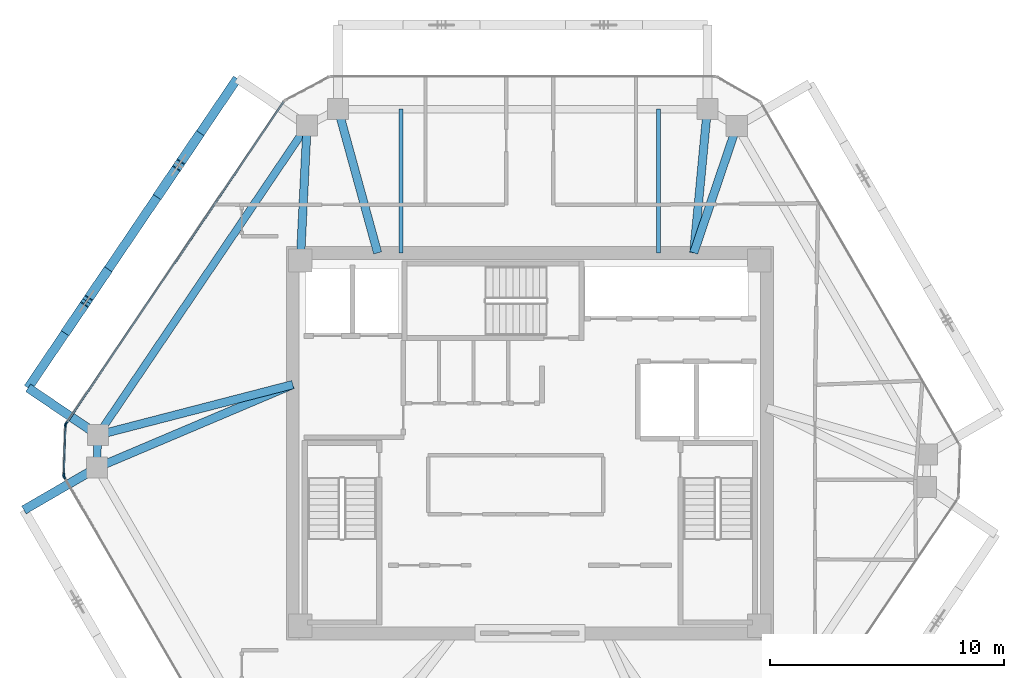
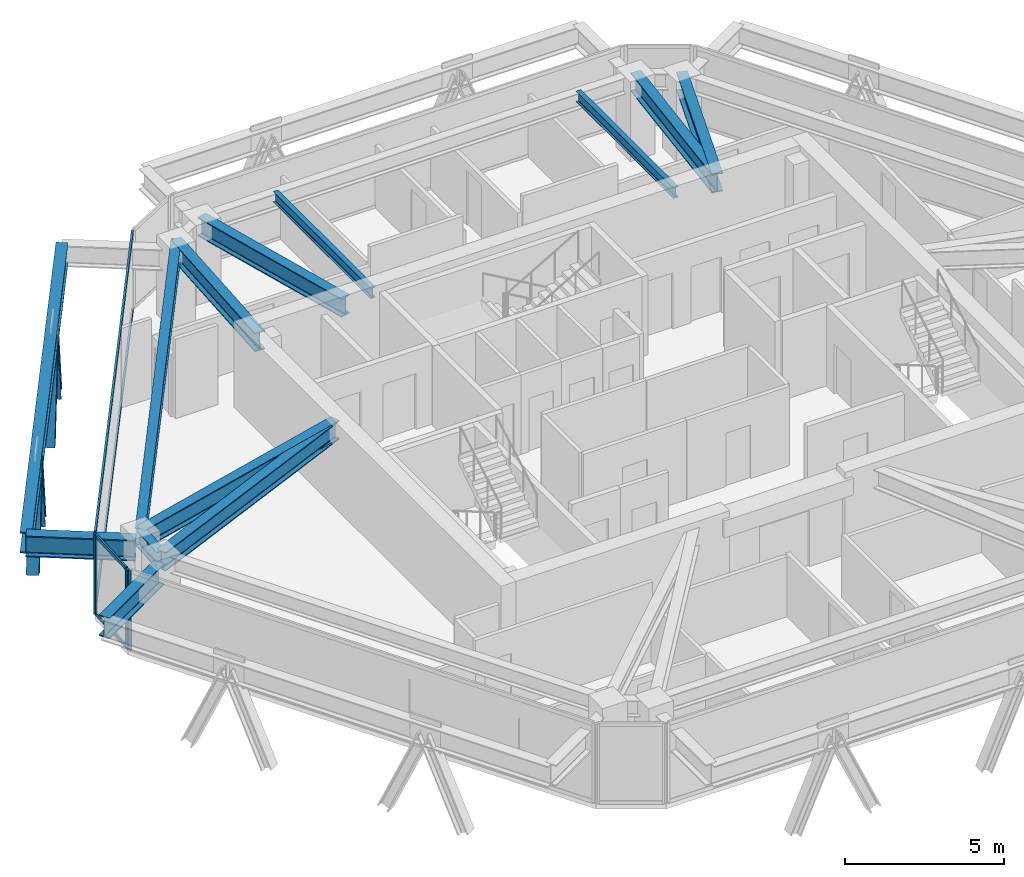
# One storey, part 4 of 13: 13 beams, 12 members, 3 elements without a shape of their own.
"""IFC4 building model written with IfcOpenShell, lengths in metres."""

from ifc_helpers import new_model, si_unit, direction, frame, origin, origin_2d, place, context, subcontext, project, spatial, rectangle, i_section, extrude, source, transform, mapped, material, layer, layer_set, material_profile, profile_set, type_object, type_shapes, element, aggregate, save


model = new_model("IFC4")

# Units and contexts
model_context = context("Model", 3, precision=1e-05, world=origin(), true_north=direction((0.0, 1.0)))
body_context = subcontext(model_context, "Body", "Model", "MODEL_VIEW")
ifc_project = project(units=[si_unit("LENGTHUNIT", "METRE"), si_unit("AREAUNIT", "SQUARE_METRE"), si_unit("VOLUMEUNIT", "CUBIC_METRE"), si_unit("PLANEANGLEUNIT", "RADIAN"), si_unit("MASSUNIT", "GRAM", prefix="KILO")], contexts=[model_context])

# Site, building, storey
site_placement = place(None, origin())
site = spatial("IfcSite", under=ifc_project, at=site_placement, CompositionType="ELEMENT")
building_placement = place(site_placement, origin())
building = spatial("IfcBuilding", under=site, at=building_placement, Name="Durnholm Broadcast Tower", CompositionType="ELEMENT")
storey_placement = place(building_placement, frame((0.0, 0.0, 234.800048828125)))
storey = spatial("IfcBuildingStorey", under=building, at=storey_placement, Name="L65", CompositionType="ELEMENT", Elevation=234.800048828125)

# Beams
ifc_material_1 = material(Name="Steel ASTM A992 Grade 50", Category="steel")
ifc_material_profile_1 = material_profile(ifc_material_1, i_section(OverallWidth=0.385009765625, OverallDepth=0.802978515625, WebThickness=0.023681640625, FlangeThickness=0.0419921875, FilletRadius=0.032958984375, at=origin_2d()), Name="W30X261")
ifc_profile_set_1 = profile_set([ifc_material_profile_1], Name="Steel ASTM A992 Grade 50")
beam_type_1 = type_object("IfcBeamType", Name="BM-EXO-TIE", PredefinedType="USERDEFINED", material=ifc_profile_set_1)
shared_shape_1 = source(origin(), body_context, "Body", "SweptSolid", [
    extrude(i_section(OverallWidth=0.385009765625, OverallDepth=0.802978515625, WebThickness=0.023681640625, FlangeThickness=0.0419921875, FilletRadius=0.032958984375, at=origin_2d()), origin(), (0.0, 0.0, 1.0), 3.4560546875),
])
for number, where, z_axis, x_axis, name in (
    (1, (-18.565673828125, 0.426513671875, 2.30859375), (-0.828413564093, 0.56011692246, 0.0), (-0.56011692246, -0.828413564093, 0.0), "L65 exoskeleton stand-off tie bracket F5.2"),
    (2, (-18.618896484375, -1.1201171875, 2.30859375), (-0.864876013532, -0.501985538852, 0.0), (0.501985538852, -0.864876013532, 0.0), "L65 exoskeleton stand-off tie bracket F6.1"),
):
    element("IfcBeam", number, at=place(storey_placement, frame(where, z_axis=z_axis, x_axis=x_axis)), inside=storey, type_object=beam_type_1, Name=name, ObjectType="GIRDER", PredefinedType="USERDEFINED", context=body_context, shape_type="MappedRepresentation", body=[
        mapped(shared_shape_1, transform((0.0, 0.0, 0.0), x_axis=(1.0, 0.0, 0.0), y_axis=(0.0, 1.0, 0.0), z_axis=(0.0, 0.0, 1.0), scale=1.0)),
    ])
ifc_material_profile_2 = material_profile(ifc_material_1, i_section(OverallWidth=0.3251953125, OverallDepth=0.6162109375, WebThickness=0.013916015625, FlangeThickness=0.021484375, FilletRadius=0.02783203125, at=origin_2d()), Name="W24X117")
ifc_profile_set_2 = profile_set([ifc_material_profile_2], Name="Steel ASTM A992 Grade 50")
beam_type_2 = type_object("IfcBeamType", Name="STL-SP-W24X117", PredefinedType="SPANDREL", material=ifc_profile_set_2)
shared_shape_2 = source(origin(), body_context, "Body", "SweptSolid", [
    extrude(i_section(OverallWidth=0.3251953125, OverallDepth=0.6162109375, WebThickness=0.013916015625, FlangeThickness=0.021484375, FilletRadius=0.02783203125, at=origin_2d()), origin(), (0.0, 0.0, 1.0), 1.39453125),
])
beam_1_placement = place(storey_placement, frame((-18.494384765625, -1.0478515625, 2.73681640625), z_axis=(0.034486393061, 0.999405167434, 0.0), x_axis=(-0.999405167434, 0.034486393061, 0.0)))
element("IfcBeam", 3, at=beam_1_placement, inside=storey, type_object=beam_type_2, Name="L65 perimeter spandrel girder 02", PredefinedType="SPANDREL", context=body_context, shape_type="MappedRepresentation", body=[
    mapped(shared_shape_2, transform((0.0, 0.0, 0.0), x_axis=(1.0, 0.0, 0.0), y_axis=(0.0, 1.0, 0.0), z_axis=(0.0, 0.0, 1.0), scale=1.0)),
])
shared_shape_3 = source(origin(), body_context, "Body", "SweptSolid", [
    extrude(i_section(OverallWidth=0.3251953125, OverallDepth=0.6162109375, WebThickness=0.013916015625, FlangeThickness=0.021484375, FilletRadius=0.02783203125, at=origin_2d()), origin(), (0.0, 0.0, 1.0), 15.947265625),
])
type_shapes(beam_type_2, [shared_shape_2, shared_shape_3])
beam_2_placement = place(storey_placement, frame((-18.4462890625, 0.345947265625, 2.73681640625), z_axis=(0.560062212489, 0.828450552623, 0.0), x_axis=(-0.828450552623, 0.560062212489, 0.0)))
element("IfcBeam", 4, at=beam_2_placement, inside=storey, type_object=beam_type_2, Name="L65 perimeter spandrel girder 03", PredefinedType="SPANDREL", context=body_context, shape_type="MappedRepresentation", body=[
    mapped(shared_shape_3, transform((0.0, 0.0, 0.0), x_axis=(1.0, 0.0, 0.0), y_axis=(0.0, 1.0, 0.0), z_axis=(0.0, 0.0, 1.0), scale=1.0)),
])
ifc_material_profile_3 = material_profile(ifc_material_1, i_section(OverallWidth=0.3564453125, OverallDepth=0.713623046875, WebThickness=0.01904296875, FlangeThickness=0.033935546875, FilletRadius=0.030517578125, at=origin_2d()), Name="W27X194")
ifc_profile_set_3 = profile_set([ifc_material_profile_3], Name="Steel ASTM A992 Grade 50")
beam_type_3 = type_object("IfcBeamType", Name="STL-GR-W27X194", PredefinedType="USERDEFINED", material=ifc_profile_set_3)
shared_shape_4 = source(origin(), body_context, "Body", "SweptSolid", [
    extrude(i_section(OverallWidth=0.3564453125, OverallDepth=0.713623046875, WebThickness=0.01904296875, FlangeThickness=0.033935546875, FilletRadius=0.030517578125, at=origin_2d()), origin(), (0.0, 0.0, 1.0), 5.764404296875),
])
beam_3_placement = place(storey_placement, frame((-9.800048828125, 7.800048828125, 2.688232421875), z_axis=(0.049468662109, 0.99877567625, 0.0), x_axis=(-0.99877567625, 0.049468662109, 0.0)))
element("IfcBeam", 5, at=beam_3_placement, inside=storey, type_object=beam_type_3, Name="L65 radial primary floor girder 04", ObjectType="GIRDER", PredefinedType="USERDEFINED", context=body_context, shape_type="MappedRepresentation", body=[
    mapped(shared_shape_4, transform((0.0, 0.0, 0.0), x_axis=(1.0, 0.0, 0.0), y_axis=(0.0, 1.0, 0.0), z_axis=(0.0, 0.0, 1.0), scale=1.0)),
])
shared_shape_5 = source(origin(), body_context, "Body", "SweptSolid", [
    extrude(i_section(OverallWidth=0.385009765625, OverallDepth=0.802978515625, WebThickness=0.023681640625, FlangeThickness=0.0419921875, FilletRadius=0.032958984375, at=origin_2d()), origin(), (0.0, 0.0, 1.0), 15.947021484375),
])
type_shapes(beam_type_1, [shared_shape_1, shared_shape_5])
beam_4_placement = place(storey_placement, frame((-12.497314453125, 15.573486328125, 2.30859375), z_axis=(-0.560069315853, -0.828445750451, 0.0), x_axis=(0.828445750451, -0.560069315853, 0.0)))
element("IfcBeam", 6, at=beam_4_placement, inside=storey, type_object=beam_type_1, Name="L65 exoskeleton collector spandrel F5", PredefinedType="SPANDREL", context=body_context, shape_type="MappedRepresentation", body=[
    mapped(shared_shape_5, transform((0.0, 0.0, 0.0), x_axis=(1.0, 0.0, 0.0), y_axis=(0.0, 1.0, 0.0), z_axis=(0.0, 0.0, 1.0), scale=1.0)),
])
shared_shape_6 = source(origin(), body_context, "Body", "SweptSolid", [
    extrude(i_section(OverallWidth=0.3564453125, OverallDepth=0.713623046875, WebThickness=0.01904296875, FlangeThickness=0.033935546875, FilletRadius=0.030517578125, at=origin_2d()), origin(), (0.0, 0.0, 1.0), 9.09033203125),
])
beam_5_placement = place(storey_placement, frame((-10.125, 2.5, 2.688232421875), z_axis=(-0.920692350722, -0.390289117607, 0.0), x_axis=(0.390289117607, -0.920692350722, 0.0)))
element("IfcBeam", 7, at=beam_5_placement, inside=storey, type_object=beam_type_3, Name="L65 radial primary floor girder 02", ObjectType="GIRDER", PredefinedType="USERDEFINED", context=body_context, shape_type="MappedRepresentation", body=[
    mapped(shared_shape_6, transform((0.0, 0.0, 0.0), x_axis=(1.0, 0.0, 0.0), y_axis=(0.0, 1.0, 0.0), z_axis=(0.0, 0.0, 1.0), scale=1.0)),
])
shared_shape_7 = source(origin(), body_context, "Body", "SweptSolid", [
    extrude(i_section(OverallWidth=0.3564453125, OverallDepth=0.713623046875, WebThickness=0.01904296875, FlangeThickness=0.033935546875, FilletRadius=0.030517578125, at=origin_2d()), origin(), (0.0, 0.0, 1.0), 8.595458984375),
])
beam_6_placement = place(storey_placement, frame((-10.125, 2.5, 2.688232421875), z_axis=(-0.968090619149, -0.250600385306, 0.0), x_axis=(0.250600385306, -0.968090619149, 0.0)))
element("IfcBeam", 8, at=beam_6_placement, inside=storey, type_object=beam_type_3, Name="L65 radial primary floor girder 03", ObjectType="GIRDER", PredefinedType="USERDEFINED", context=body_context, shape_type="MappedRepresentation", body=[
    mapped(shared_shape_7, transform((0.0, 0.0, 0.0), x_axis=(1.0, 0.0, 0.0), y_axis=(0.0, 1.0, 0.0), z_axis=(0.0, 0.0, 1.0), scale=1.0)),
])
shared_shape_8 = source(origin(), body_context, "Body", "SweptSolid", [
    extrude(i_section(OverallWidth=0.3564453125, OverallDepth=0.713623046875, WebThickness=0.01904296875, FlangeThickness=0.033935546875, FilletRadius=0.030517578125, at=origin_2d()), origin(), (0.0, 0.0, 1.0), 6.36474609375),
])
beam_7_placement = place(storey_placement, frame((-6.5, 8.125, 2.688232421875), z_axis=(-0.265168072834, 0.96420220553, 0.0), x_axis=(-0.96420220553, -0.265168072834, 0.0)))
element("IfcBeam", 9, at=beam_7_placement, inside=storey, type_object=beam_type_3, Name="L65 radial primary floor girder 05", ObjectType="GIRDER", PredefinedType="USERDEFINED", context=body_context, shape_type="MappedRepresentation", body=[
    mapped(shared_shape_8, transform((0.0, 0.0, 0.0), x_axis=(1.0, 0.0, 0.0), y_axis=(0.0, 1.0, 0.0), z_axis=(0.0, 0.0, 1.0), scale=1.0)),
])
shared_shape_9 = source(origin(), body_context, "Body", "SweptSolid", [
    extrude(i_section(OverallWidth=0.3564453125, OverallDepth=0.713623046875, WebThickness=0.01904296875, FlangeThickness=0.033935546875, FilletRadius=0.030517578125, at=origin_2d()), origin(), (0.0, 0.0, 1.0), 6.164306640625),
])
beam_8_placement = place(storey_placement, frame((7.0, 8.125, 2.688232421875), z_axis=(0.094024068139, 0.995569924521, 0.0), x_axis=(-0.995569924521, 0.094024068139, 0.0)))
element("IfcBeam", 10, at=beam_8_placement, inside=storey, type_object=beam_type_3, Name="L65 radial primary floor girder 06", ObjectType="GIRDER", PredefinedType="USERDEFINED", context=body_context, shape_type="MappedRepresentation", body=[
    mapped(shared_shape_9, transform((0.0, 0.0, 0.0), x_axis=(1.0, 0.0, 0.0), y_axis=(0.0, 1.0, 0.0), z_axis=(0.0, 0.0, 1.0), scale=1.0)),
])
shared_shape_10 = source(origin(), body_context, "Body", "SweptSolid", [
    extrude(i_section(OverallWidth=0.3564453125, OverallDepth=0.713623046875, WebThickness=0.01904296875, FlangeThickness=0.033935546875, FilletRadius=0.030517578125, at=origin_2d()), origin(), (0.0, 0.0, 1.0), 5.716064453125),
])
type_shapes(beam_type_3, [shared_shape_4, shared_shape_6, shared_shape_7, shared_shape_8, shared_shape_9, shared_shape_10])
beam_9_placement = place(storey_placement, frame((7.0, 8.125, 2.688232421875), z_axis=(0.321450919754, 0.946926241156, 0.0), x_axis=(-0.946926241156, 0.321450919754, 0.0)))
element("IfcBeam", 11, at=beam_9_placement, inside=storey, type_object=beam_type_3, Name="L65 radial primary floor girder 07", ObjectType="GIRDER", PredefinedType="USERDEFINED", context=body_context, shape_type="MappedRepresentation", body=[
    mapped(shared_shape_10, transform((0.0, 0.0, 0.0), x_axis=(1.0, 0.0, 0.0), y_axis=(0.0, 1.0, 0.0), z_axis=(0.0, 0.0, 1.0), scale=1.0)),
])
ifc_material_profile_4 = material_profile(ifc_material_1, i_section(OverallWidth=0.177734375, OverallDepth=0.40673828125, WebThickness=0.0078125, FlangeThickness=0.0126953125, FilletRadius=0.01904296875, at=origin_2d()), Name="W16X40")
ifc_profile_set_4 = profile_set([ifc_material_profile_4], Name="Steel ASTM A992 Grade 50")
beam_type_4 = type_object("IfcBeamType", Name="STL-BJ-W16X40", PredefinedType="JOIST", material=ifc_profile_set_4)
shared_shape_11 = source(origin(), body_context, "Body", "SweptSolid", [
    extrude(i_section(OverallWidth=0.177734375, OverallDepth=0.40673828125, WebThickness=0.0078125, FlangeThickness=0.0126953125, FilletRadius=0.01904296875, at=origin_2d()), origin(), (0.0, 0.0, 1.0), 6.136962890625),
])
type_shapes(beam_type_4, [shared_shape_11])
for number, where, z_axis, x_axis, name in (
    (12, (-5.5, 8.125, 2.841552734375), (0.0, 1.0, 0.0), (-1.0, 0.0, 0.0), "L65 secondary floor joist 3.2"),
    (13, (5.5, 8.125, 2.841552734375), (0.0, 1.0, 0.0), (-1.0, 0.0, 0.0), "L65 secondary floor joist 4.2"),
):
    element("IfcBeam", number, at=place(storey_placement, frame(where, z_axis=z_axis, x_axis=x_axis)), inside=storey, type_object=beam_type_4, Name=name, PredefinedType="JOIST", context=body_context, shape_type="MappedRepresentation", body=[
        mapped(shared_shape_11, transform((0.0, 0.0, 0.0), x_axis=(1.0, 0.0, 0.0), y_axis=(0.0, 1.0, 0.0), z_axis=(0.0, 0.0, 1.0), scale=1.0)),
    ])

# Members
ifc_material_2 = material(Name="Steel ASTM A913 Grade 65", Category="steel")
ifc_material_profile_5 = material_profile(ifc_material_2, i_section(OverallWidth=0.40625, OverallDepth=0.416015625, WebThickness=0.02978515625, FlangeThickness=0.048095703125, FilletRadius=0.030517578125, at=origin_2d()), Name="W14X257")
ifc_profile_set_5 = profile_set([ifc_material_profile_5], Name="Steel ASTM A913 Grade 65")
member_type_1 = type_object("IfcMemberType", Name="STL-DG-W14X257", PredefinedType="BRACE", material=ifc_profile_set_5)
shared_shape_12 = source(origin(), body_context, "Body", "SweptSolid", [
    extrude(i_section(OverallWidth=0.40625, OverallDepth=0.416015625, WebThickness=0.02978515625, FlangeThickness=0.048095703125, FilletRadius=0.030517578125, at=origin_2d()), origin(), (0.0, 0.0, 1.0), 3.60791015625),
])
type_shapes(member_type_1, [shared_shape_12])
for number, where, z_axis, x_axis, name in (
    (14, (-14.181396484375, 13.08251953125, -0.991455078125), (-0.226349134478, -0.334888450383, 0.914667040579), (0.828505003222, -0.559981660089, 0.0), "L65 stand-off diagrid brace F5.D1.1"),
    (15, (-15.814697265625, 10.666259765625, -0.991455078125), (0.226354263477, 0.334828369412, 0.914687766641), (-0.828452496411, 0.560059337206, 0.0), "L65 stand-off diagrid brace F5.D1.2"),
    (16, (-18.111328125, 7.269287109375, -0.991455078125), (-0.226354263477, -0.334828369412, 0.914687766641), (0.828452496411, -0.560059337206, 0.0), "L65 stand-off diagrid brace F5.D2.1"),
    (17, (-19.74462890625, 4.853271484375, -0.991455078125), (0.226354263477, 0.334828369412, 0.914687766641), (-0.828452496411, 0.560059337206, 0.0), "L65 stand-off diagrid brace F5.D2.2"),
):
    element("IfcMember", number, at=place(storey_placement, frame(where, z_axis=z_axis, x_axis=x_axis)), inside=storey, type_object=member_type_1, Name=name, PredefinedType="BRACE", context=body_context, shape_type="MappedRepresentation", body=[
        mapped(shared_shape_12, transform((0.0, 0.0, 0.0), x_axis=(1.0, 0.0, 0.0), y_axis=(0.0, 1.0, 0.0), z_axis=(0.0, 0.0, 1.0), scale=1.0)),
    ])

# Curtain wall, members
ifc_material_3 = material(Name="Aluminium and Solar Control IGU", Category="aluminium")
ifc_layer_1 = layer(ifc_material_3, 0.1650390625)
ifc_layer_set_1 = layer_set([ifc_layer_1], Name="Aluminium and Solar Control IGU")
curtain_wall_type_1 = type_object("IfcCurtainWallType", Name="CW-SYS-5", PredefinedType="NOTDEFINED", material=ifc_layer_set_1)
curtain_wall_1_placement = place(storey_placement, origin())
curtain_wall_1 = element("IfcCurtainWall", 18, at=curtain_wall_1_placement, inside=storey, type_object=curtain_wall_type_1, Name="L65 curtain wall CW-CORNER CW-L65-CRN-01", PredefinedType="NOTDEFINED")
ifc_material_4 = material(Name="Aluminium 6063-T6", Category="aluminium")
ifc_material_profile_6 = material_profile(ifc_material_4, rectangle(XDim=0.06494140625, YDim=0.1298828125, at=origin_2d()), Name="CWT65X130")
ifc_profile_set_6 = profile_set([ifc_material_profile_6], Name="Aluminium 6063-T6")
member_type_2 = type_object("IfcMemberType", Name="CW-SYS-5-TRN", PredefinedType="USERDEFINED", material=ifc_profile_set_6)
shared_shape_13 = source(origin(), body_context, "Body", "SweptSolid", [
    extrude(rectangle(XDim=0.06494140625, YDim=0.1298828125, at=origin_2d()), origin(), (0.0, 0.0, 1.0), 2.070068359375),
])
type_shapes(member_type_2, [shared_shape_13])
member_1_placement = place(storey_placement, frame((-19.905029296875, -1.33740234375, 0.032470703125), z_axis=(0.034320104965, 0.999410891673, 0.0), x_axis=(-0.999410891673, 0.034320104965, 0.0)))
member_1 = element("IfcMember", 19, at=member_1_placement, type_object=member_type_2, Name="CW-CORNER transom 1.1", ObjectType="TRANSOM", PredefinedType="USERDEFINED", context=body_context, shape_type="MappedRepresentation", body=[
    mapped(shared_shape_13, transform((0.0, 0.0, 0.0), x_axis=(1.0, 0.0, 0.0), y_axis=(0.0, 1.0, 0.0), z_axis=(0.0, 0.0, 1.0), scale=1.0)),
])
member_2_placement = place(storey_placement, frame((-19.905029296875, -1.33740234375, 3.02734375), z_axis=(0.034320104965, 0.999410891673, 0.0), x_axis=(-0.999410891673, 0.034320104965, 0.0)))
member_2 = element("IfcMember", 20, at=member_2_placement, type_object=member_type_2, Name="CW-CORNER transom 1.2", ObjectType="TRANSOM", PredefinedType="USERDEFINED", context=body_context, shape_type="MappedRepresentation", body=[
    mapped(shared_shape_13, transform((0.0, 0.0, 0.0), x_axis=(1.0, 0.0, 0.0), y_axis=(0.0, 1.0, 0.0), z_axis=(0.0, 0.0, 1.0), scale=1.0)),
])
ifc_material_profile_7 = material_profile(ifc_material_4, rectangle(XDim=0.06494140625, YDim=0.1650390625, at=origin_2d()), Name="CWM65X165")
ifc_profile_set_7 = profile_set([ifc_material_profile_7], Name="Aluminium 6063-T6")
member_type_3 = type_object("IfcMemberType", Name="CW-SYS-5-MUL", PredefinedType="MULLION", material=ifc_profile_set_7)
shared_shape_14 = source(origin(), body_context, "Body", "SweptSolid", [
    extrude(rectangle(XDim=0.06494140625, YDim=0.1650390625, at=origin_2d()), origin(), (0.0, 0.0, 1.0), 3.06005859375),
])
type_shapes(member_type_3, [shared_shape_14])
member_3_placement = place(storey_placement, frame((-19.90625, -1.369873046875, 0.0), z_axis=(0.0, 0.0, 1.0), x_axis=(-0.999410955514, 0.034318245849, 0.0)))
member_3 = element("IfcMember", 21, at=member_3_placement, type_object=member_type_3, Name="CW-CORNER mullion 1", PredefinedType="MULLION", context=body_context, shape_type="MappedRepresentation", body=[
    mapped(shared_shape_14, transform((0.0, 0.0, 0.0), x_axis=(1.0, 0.0, 0.0), y_axis=(0.0, 1.0, 0.0), z_axis=(0.0, 0.0, 1.0), scale=1.0)),
])
member_4_placement = place(storey_placement, frame((-19.8330078125, 0.763916015625, 0.0), z_axis=(0.0, 0.0, 1.0), x_axis=(-0.999410955514, 0.034318245849, 0.0)))
member_4 = element("IfcMember", 22, at=member_4_placement, type_object=member_type_3, Name="CW-CORNER mullion 2", PredefinedType="MULLION", context=body_context, shape_type="MappedRepresentation", body=[
    mapped(shared_shape_14, transform((0.0, 0.0, 0.0), x_axis=(1.0, 0.0, 0.0), y_axis=(0.0, 1.0, 0.0), z_axis=(0.0, 0.0, 1.0), scale=1.0)),
])
aggregate(curtain_wall_1, [member_3, member_4, member_1, member_2])

# Curtain wall, member
ifc_layer_2 = layer(ifc_material_3, 0.18994140625)
ifc_layer_set_2 = layer_set([ifc_layer_2], Name="Aluminium and Solar Control IGU")
curtain_wall_type_2 = type_object("IfcCurtainWallType", Name="CW-SYS-4", PredefinedType="NOTDEFINED", material=ifc_layer_set_2)
curtain_wall_2_placement = place(storey_placement, origin())
curtain_wall_2 = element("IfcCurtainWall", 23, at=curtain_wall_2_placement, inside=storey, type_object=curtain_wall_type_2, Name="L65 curtain wall CW-Z34-VIS CW-L65-F02", PredefinedType="NOTDEFINED")
ifc_material_profile_8 = material_profile(ifc_material_4, rectangle(XDim=0.070068359375, YDim=0.18994140625, at=origin_2d()), Name="CWM70X190")
ifc_profile_set_8 = profile_set([ifc_material_profile_8], Name="Aluminium 6063-T6")
member_type_4 = type_object("IfcMemberType", Name="CW-SYS-4-MUL", PredefinedType="MULLION", material=ifc_profile_set_8)
shared_shape_15 = source(origin(), body_context, "Body", "SweptSolid", [
    extrude(rectangle(XDim=0.070068359375, YDim=0.18994140625, at=origin_2d()), origin(), (0.0, 0.0, 1.0), 3.06005859375),
])
type_shapes(member_type_4, [shared_shape_15])
member_5_placement = place(storey_placement, frame((-19.812255859375, 0.825439453125, 0.0), z_axis=(0.0, 0.0, 1.0), x_axis=(-0.828443431662, 0.560072745753, 0.0)))
member_5 = element("IfcMember", 24, at=member_5_placement, type_object=member_type_4, Name="CW-Z34-VIS mullion 1", PredefinedType="MULLION", context=body_context, shape_type="MappedRepresentation", body=[
    mapped(shared_shape_15, transform((0.0, 0.0, 0.0), x_axis=(1.0, 0.0, 0.0), y_axis=(0.0, 1.0, 0.0), z_axis=(0.0, 0.0, 1.0), scale=1.0)),
])

curtain_wall_3_placement = place(storey_placement, origin())
curtain_wall_3 = element("IfcCurtainWall", 25, at=curtain_wall_3_placement, inside=storey, type_object=curtain_wall_type_2, Name="L65 curtain wall CW-Z34-VIS CW-L65-F12", PredefinedType="NOTDEFINED")
member_6_placement = place(storey_placement, frame((-19.8896484375, -1.4326171875, 0.0), z_axis=(0.0, 0.0, 1.0), x_axis=(-0.864899883824, -0.50194441023, 0.0)))
member_6 = element("IfcMember", 26, at=member_6_placement, type_object=member_type_4, Name="CW-Z34-VIS mullion 2", PredefinedType="MULLION", context=body_context, shape_type="MappedRepresentation", body=[
    mapped(shared_shape_15, transform((0.0, 0.0, 0.0), x_axis=(1.0, 0.0, 0.0), y_axis=(0.0, 1.0, 0.0), z_axis=(0.0, 0.0, 1.0), scale=1.0)),
])
aggregate(curtain_wall_3, [member_6])

# Member
ifc_material_profile_9 = material_profile(ifc_material_4, rectangle(XDim=0.070068359375, YDim=0.14990234375, at=origin_2d()), Name="CWT70X150")
ifc_profile_set_9 = profile_set([ifc_material_profile_9], Name="Aluminium 6063-T6")
member_type_5 = type_object("IfcMemberType", Name="CW-SYS-4-TRN", PredefinedType="USERDEFINED", material=ifc_profile_set_9)
shared_shape_16 = source(origin(), body_context, "Body", "SweptSolid", [
    extrude(rectangle(XDim=0.070068359375, YDim=0.14990234375, at=origin_2d()), origin(), (0.0, 0.0, 1.0), 16.55859375),
])
type_shapes(member_type_5, [shared_shape_16])
member_7_placement = place(storey_placement, frame((-19.79248046875, 0.8544921875, 0.034912109375), z_axis=(0.560071338091, 0.828444383317, 0.0), x_axis=(-0.828444383317, 0.560071338091, 0.0)))
member_7 = element("IfcMember", 27, at=member_7_placement, type_object=member_type_5, Name="CW-Z34-VIS transom 1.1", ObjectType="TRANSOM", PredefinedType="USERDEFINED", context=body_context, shape_type="MappedRepresentation", body=[
    mapped(shared_shape_16, transform((0.0, 0.0, 0.0), x_axis=(1.0, 0.0, 0.0), y_axis=(0.0, 1.0, 0.0), z_axis=(0.0, 0.0, 1.0), scale=1.0)),
])

member_8_placement = place(storey_placement, frame((-19.79248046875, 0.8544921875, 3.02490234375), z_axis=(0.560071338091, 0.828444383317, 0.0), x_axis=(-0.828444383317, 0.560071338091, 0.0)))
member_8 = element("IfcMember", 28, at=member_8_placement, type_object=member_type_5, Name="CW-Z34-VIS transom 1.2", ObjectType="TRANSOM", PredefinedType="USERDEFINED", context=body_context, shape_type="MappedRepresentation", body=[
    mapped(shared_shape_16, transform((0.0, 0.0, 0.0), x_axis=(1.0, 0.0, 0.0), y_axis=(0.0, 1.0, 0.0), z_axis=(0.0, 0.0, 1.0), scale=1.0)),
])

aggregate(curtain_wall_2, [member_5, member_7, member_8])

save(model, "model.ifc")
